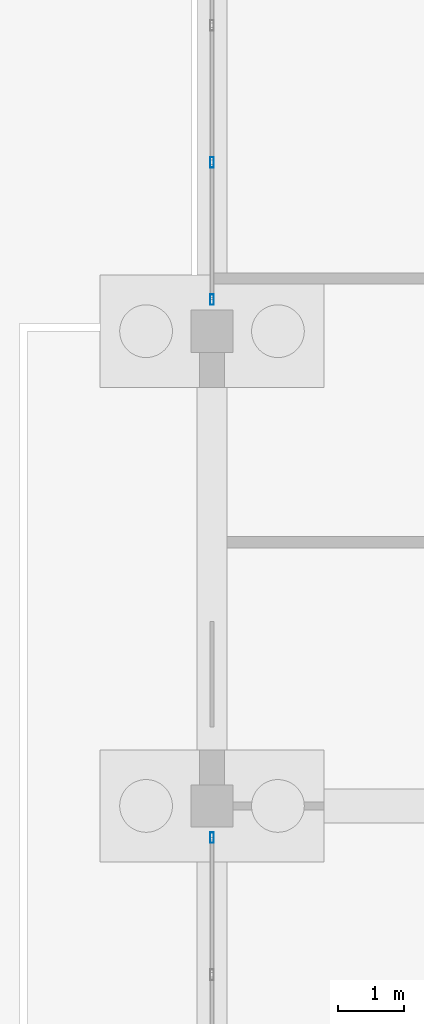
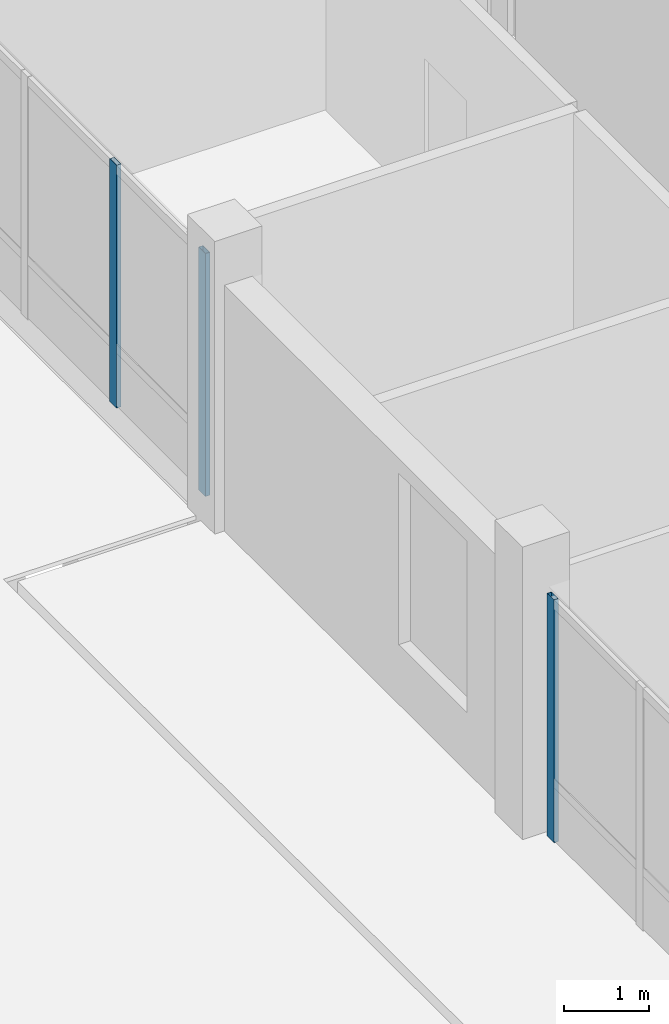
# One storey, part 58 of 98: 3 members, 2 elements without a shape of their own.
"""IFC4 building model written with IfcOpenShell, lengths in metres."""

from ifc_helpers import new_model, si_unit, direction, frame, origin, origin_2d, place, context, subcontext, project, spatial, hollow_rectangle, extrude, material, material_profile, profile_set, type_object, element, aggregate, save


model = new_model("IFC4")

# Units and contexts
model_context = context("Model", 3, precision=1e-05, world=origin(), true_north=direction((0.0, 1.0)))
body_context = subcontext(model_context, "Body", "Model", "MODEL_VIEW")
ifc_project = project(units=[si_unit("LENGTHUNIT", "METRE"), si_unit("AREAUNIT", "SQUARE_METRE"), si_unit("VOLUMEUNIT", "CUBIC_METRE"), si_unit("PLANEANGLEUNIT", "RADIAN"), si_unit("MASSUNIT", "GRAM", prefix="KILO")], contexts=[model_context])

# Site, building, storey
site_placement = place(None, origin())
site = spatial("IfcSite", under=ifc_project, at=site_placement, CompositionType="ELEMENT")
building_placement = place(site_placement, origin())
building = spatial("IfcBuilding", under=site, at=building_placement, Name="Zornivar Specialist Clinic", CompositionType="ELEMENT")
storey_placement = place(building_placement, origin())
storey = spatial("IfcBuildingStorey", under=building, at=storey_placement, Name="L00", CompositionType="ELEMENT", Elevation=0.0)

# Curtain wall, members
ifc_material_1 = material(Name="Aluminium and Low-E Glass Curtain Wall", Category="aluminium")
curtain_wall_type = type_object("IfcCurtainWallType", Name="CW-LAB-NORTH", PredefinedType="NOTDEFINED", material=ifc_material_1)
curtain_wall_1_placement = place(storey_placement, origin())
curtain_wall_1 = element("IfcCurtainWall", 1, at=curtain_wall_1_placement, inside=storey, type_object=curtain_wall_type, Name="cw:V6:L00:16", PredefinedType="NOTDEFINED")
ifc_material_2 = material(Name="Aluminium AW-6060", Category="aluminium")
ifc_material_profile = material_profile(ifc_material_2, hollow_rectangle(XDim=0.06005859375, YDim=0.159912109375, WallThickness=0.00390625, at=origin_2d()), Name="ALU 60x160x4")
ifc_profile_set = profile_set([ifc_material_profile], Name="Aluminium AW-6060")
member_type = type_object("IfcMemberType", Name="CWM-MUL-160", PredefinedType="MULLION", material=ifc_profile_set)
member_1_placement = place(storey_placement, frame((136.800048828125, 103.360107421875, 0.0), z_axis=(0.0, 0.0, 1.0), x_axis=(1.0, 0.0, 0.0)))
member_1 = element("IfcMember", 2, at=member_1_placement, type_object=member_type, Name="cw:V6:L00:16:mul:2", PredefinedType="MULLION", context=body_context, shape_type="SweptSolid", body=[
    extrude(hollow_rectangle(XDim=0.06005859375, YDim=0.159912109375, WallThickness=0.00390625, at=origin_2d()), origin(), (0.0, 0.0, 1.0), 3.469970703125),
])
member_2_placement = place(storey_placement, frame((136.800048828125, 101.280029296875, 0.0), z_axis=(0.0, 0.0, 1.0), x_axis=(1.0, 0.0, 0.0)))
member_2 = element("IfcMember", 3, at=member_2_placement, type_object=member_type, Name="cw:V6:L00:16:mul:3", PredefinedType="MULLION", context=body_context, shape_type="SweptSolid", body=[
    extrude(hollow_rectangle(XDim=0.06005859375, YDim=0.159912109375, WallThickness=0.00390625, at=origin_2d()), origin(), (0.0, 0.0, 1.0), 3.469970703125),
])
aggregate(curtain_wall_1, [member_1, member_2])

# Curtain wall, member
curtain_wall_2_placement = place(storey_placement, origin())
curtain_wall_2 = element("IfcCurtainWall", 4, at=curtain_wall_2_placement, inside=storey, type_object=curtain_wall_type, Name="cw:V6:L00:18", PredefinedType="NOTDEFINED")
member_3_placement = place(storey_placement, frame((136.800048828125, 93.1201171875, 0.0), z_axis=(0.0, 0.0, 1.0), x_axis=(1.0, 0.0, 0.0)))
member_3 = element("IfcMember", 5, at=member_3_placement, type_object=member_type, Name="cw:V6:L00:18:mul:0", PredefinedType="MULLION", context=body_context, shape_type="SweptSolid", body=[
    extrude(hollow_rectangle(XDim=0.06005859375, YDim=0.159912109375, WallThickness=0.00390625, at=origin_2d()), origin(), (0.0, 0.0, 1.0), 3.469970703125),
])
aggregate(curtain_wall_2, [member_3])

save(model, "model.ifc")
